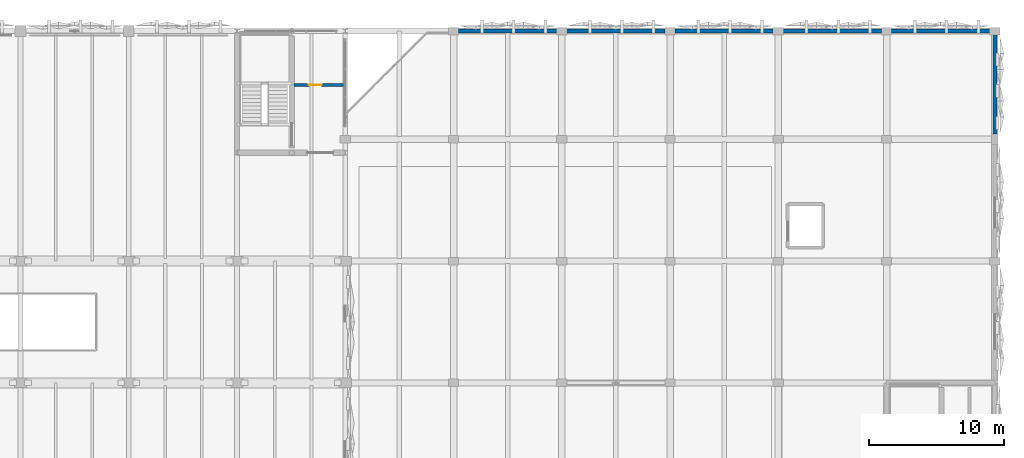
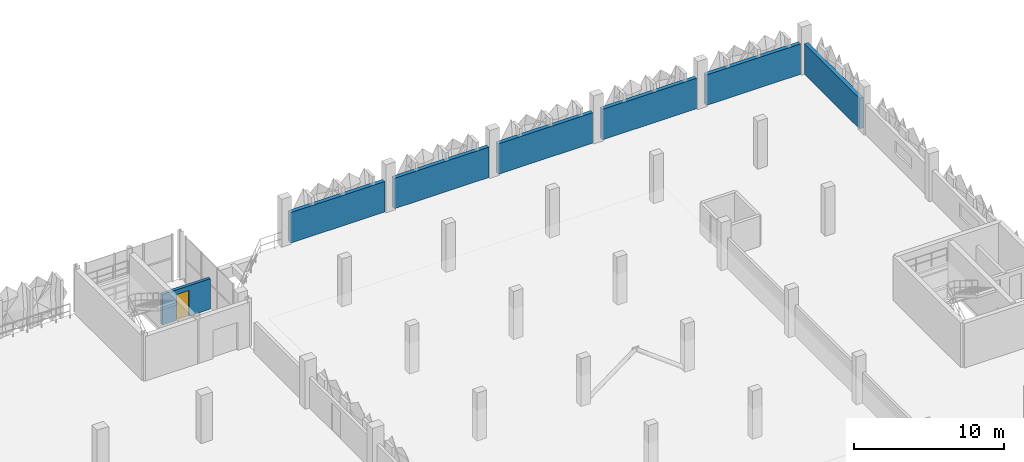
# One storey, part 81 of 123: 7 walls, 1 door, 1 opening.
"""IFC4 building model written with IfcOpenShell, lengths in metres."""

from ifc_helpers import new_model, si_unit, derived_unit, direction, frame, frame_2d, origin, place, context, subcontext, project, spatial, rectangle, extrude, material, layer, layer_set, type_object, element, fill, save


model = new_model("IFC4")

# Units and contexts
model_context = context("Model", 3, precision=1e-05, world=origin(), true_north=direction((0.0, 1.0)))
body_context = subcontext(model_context, "Body", "Model", "MODEL_VIEW")
ifc_project = project(units=[si_unit("LENGTHUNIT", "METRE"), si_unit("AREAUNIT", "SQUARE_METRE"), si_unit("VOLUMEUNIT", "CUBIC_METRE"), si_unit("PLANEANGLEUNIT", "RADIAN"), si_unit("MASSUNIT", "GRAM", prefix="KILO"), si_unit("THERMODYNAMICTEMPERATUREUNIT", "KELVIN"), derived_unit("THERMALTRANSMITTANCEUNIT", [(si_unit("POWERUNIT", "WATT"), 1), (si_unit("AREAUNIT", "SQUARE_METRE"), -1), (si_unit("THERMODYNAMICTEMPERATUREUNIT", "KELVIN"), -1)])], contexts=[model_context])

# Site, building, storey
site_placement = place(None, origin())
site = spatial("IfcSite", under=ifc_project, at=site_placement, CompositionType="ELEMENT")
building_placement = place(site_placement, origin())
building = spatial("IfcBuilding", under=site, at=building_placement, Name="Haiyu Intermodal Mobility Hub", CompositionType="ELEMENT")
storey_placement = place(building_placement, frame((0.0, 0.0, 5.60009765625)))
storey = spatial("IfcBuildingStorey", under=building, at=storey_placement, Name="L01", CompositionType="ELEMENT", Elevation=5.60009765625)

# Walls
ifc_material_1 = material(Name="Precast concrete C40", Category="concrete")
ifc_layer_1 = layer(ifc_material_1, 0.300048828125)
ifc_layer_set_1 = layer_set([ifc_layer_1], Name="Precast concrete C40")
wall_type_1 = type_object("IfcWallType", Name="WAL-WE01", PredefinedType="STANDARD", material=ifc_layer_set_1)
wall_1_placement = place(storey_placement, frame((210.0, 140.385009765625, 0.0), z_axis=(0.0, 0.0, 1.0), x_axis=(0.0, 1.0, 0.0)))
element("IfcWall", 1, at=wall_1_placement, inside=storey, type_object=wall_type_1, Name="WAL-V6E-172", PredefinedType="STANDARD", context=body_context, shape_type="SweptSolid", body=[
    extrude(rectangle(XDim=7.360107421875, YDim=0.300048828125, at=frame_2d((3.68017578125, 0.0))), origin(), (0.0, 0.0, 1.0), 2.47998046875),
])
for number, where, z_axis, x_axis, name in (
    (2, (177.64501953125, 148.0, 0.0), (0.0, 0.0, 1.0), (-1.0, 0.0, 0.0), "WAL-V6N-174"),
    (3, (185.64501953125, 148.0, 0.0), (0.0, 0.0, 1.0), (-1.0, 0.0, 0.0), "WAL-V6N-176"),
    (4, (193.64501953125, 148.0, 0.0), (0.0, 0.0, 1.0), (-1.0, 0.0, 0.0), "WAL-V6N-178"),
    (5, (201.64501953125, 148.0, 0.0), (0.0, 0.0, 1.0), (-1.0, 0.0, 0.0), "WAL-V6N-180"),
    (6, (209.64501953125, 148.0, 0.0), (0.0, 0.0, 1.0), (-1.0, 0.0, 0.0), "WAL-V6N-182"),
):
    element("IfcWall", number, at=place(storey_placement, frame(where, z_axis=z_axis, x_axis=x_axis)), inside=storey, type_object=wall_type_1, Name=name, PredefinedType="STANDARD", context=body_context, shape_type="SweptSolid", body=[
        extrude(rectangle(XDim=7.2900390625, YDim=0.300048828125, at=frame_2d((3.64501953125, 0.0))), origin(), (0.0, 0.0, 1.0), 2.47998046875),
    ])

# Wall, opening, door
ifc_material_2 = material(Name="Autoclaved aerated concrete block A5.0", Category="concrete")
ifc_layer_2 = layer(ifc_material_2, 0.22998046875)
ifc_layer_set_2 = layer_set([ifc_layer_2], Name="Autoclaved aerated concrete block A5.0")
wall_type_2 = type_object("IfcWallType", Name="WAL-WI01", PredefinedType="PARTITIONING", material=ifc_layer_set_2)
wall_2_placement = place(storey_placement, frame((158.2099609375, 144.0, 0.0), z_axis=(0.0, 0.0, 1.0), x_axis=(1.0, 0.0, 0.0)))
wall_2 = element("IfcWall", 7, at=wall_2_placement, inside=storey, type_object=wall_type_2, Name="WAL-CORE-C4-LFT-L01", PredefinedType="PARTITIONING", context=body_context, shape_type="SweptSolid", body=[
    extrude(rectangle(XDim=3.7099609375, YDim=0.22998046875, at=frame_2d((1.85498046875, 0.0))), origin(), (0.0, 0.0, 1.0), 2.47998046875),
])
opening_placement = place(wall_2_placement, frame((1.10009765625, 0.0, 0.0)))
opening = element("IfcOpeningElement", 8, at=opening_placement, cuts=wall_2, Name="Opening DI07", PredefinedType="OPENING", context=body_context, shape_type="SweptSolid", body=[
    extrude(rectangle(XDim=0.949951171875, YDim=2.10009765625, at=frame_2d((0.47509765625, 1.050048828125))), frame((0.0, 0.125, 0.0), z_axis=(0.0, -1.0, 0.0), x_axis=(1.0, 0.0, 0.0)), (0.0, 0.0, 1.0), 0.25),
])
ifc_material_3 = material(Name="Steel Q355C", Category="steel")
door_type = type_object("IfcDoorType", Name="DR-DI07", OperationType="NOTDEFINED", PredefinedType="DOOR", material=ifc_material_3)
door_placement = place(opening_placement, origin())
door = element("IfcDoor", 9, at=door_placement, inside=storey, type_object=door_type, Name="Core C4 Accessible WC Door L01", OperationType="SINGLE_SWING_RIGHT", OverallHeight=2.10009765625, OverallWidth=0.949951171875, PredefinedType="DOOR", context=body_context, shape_type="SweptSolid", body=[
    extrude(rectangle(XDim=0.949951171875, YDim=2.10009765625, at=frame_2d((0.47509765625, 1.050048828125))), frame((0.0, 0.02490234375, 0.0), z_axis=(0.0, -1.0, 0.0), x_axis=(1.0, 0.0, 0.0)), (0.0, 0.0, 1.0), 0.050048828125),
])
fill(opening, door)

save(model, "model.ifc")
